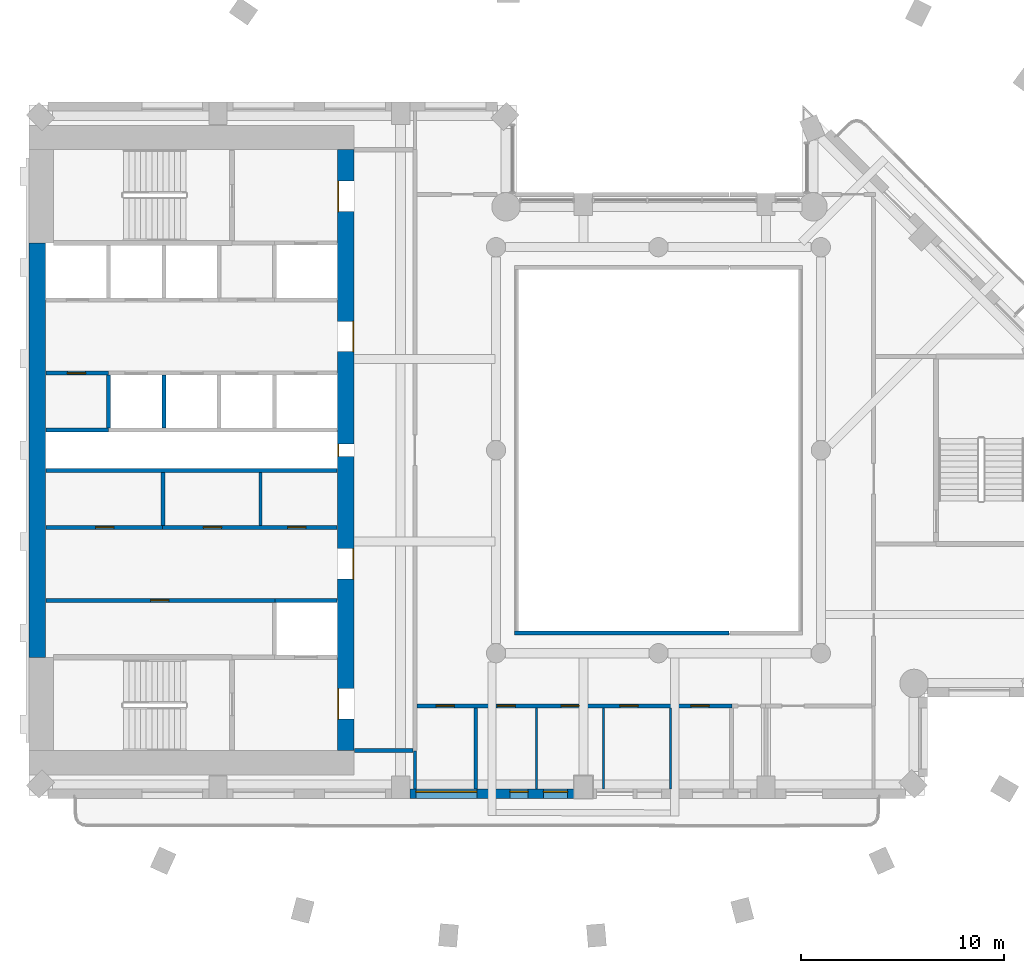
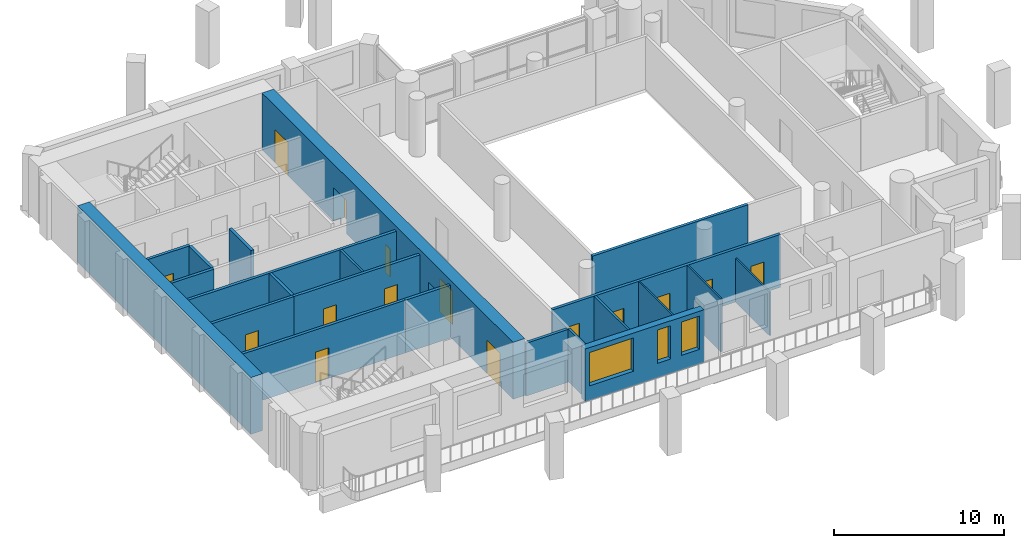
# One storey, part 4 of 14: 22 walls, 15 doors, 3 windows, 18 openings.
"""IFC4 building model written with IfcOpenShell, lengths in metres."""

from ifc_helpers import new_model, si_unit, direction, frame, frame_2d, origin, place, context, subcontext, project, spatial, rectangle, extrude, material, layer, layer_set, type_object, element, fill, save


model = new_model("IFC4")

# Units and contexts
model_context = context("Model", 3, precision=1e-05, world=origin(), true_north=direction((0.0, 1.0)))
body_context = subcontext(model_context, "Body", "Model", "MODEL_VIEW")
ifc_project = project(units=[si_unit("LENGTHUNIT", "METRE"), si_unit("AREAUNIT", "SQUARE_METRE"), si_unit("VOLUMEUNIT", "CUBIC_METRE"), si_unit("PLANEANGLEUNIT", "RADIAN"), si_unit("MASSUNIT", "GRAM", prefix="KILO")], contexts=[model_context])

# Site, building, storey
site_placement = place(None, origin())
site = spatial("IfcSite", under=ifc_project, at=site_placement, CompositionType="ELEMENT")
building_placement = place(site_placement, origin())
building = spatial("IfcBuilding", under=site, at=building_placement, Name="Cypress Arch Tower", CompositionType="ELEMENT")
storey_placement = place(building_placement, frame((0.0, 0.0, 201.5)))
storey = spatial("IfcBuildingStorey", under=building, at=storey_placement, Name="L44", CompositionType="ELEMENT", Elevation=201.5)

# Wall, openings, windows
ifc_material_1 = material(Name="Brick (red buff blend)", Category="masonry")
ifc_layer_1 = layer(ifc_material_1, 0.449951171875)
ifc_layer_set_1 = layer_set([ifc_layer_1], Name="Brick pier and spandrel wall BW450")
wall_type_1 = type_object("IfcWallType", Name="Brick pier and spandrel wall BW450", PredefinedType="SOLIDWALL", material=ifc_layer_set_1)
wall_1_placement = place(storey_placement, frame((-11.25, -16.925048828125, 0.0), z_axis=(0.0, 0.0, 1.0), x_axis=(1.0, 0.0, 0.0)))
wall_1 = element("IfcWall", 1, at=wall_1_placement, inside=storey, type_object=wall_type_1, Name="Brick wall L44 B01.2", PredefinedType="SOLIDWALL", context=body_context, shape_type="SweptSolid", body=[
    extrude(rectangle(XDim=8.10009765625, YDim=0.449951171875, at=frame_2d((4.050048828125, 0.0))), origin(), (0.0, 0.0, 1.0), 3.800048828125),
])
opening_1_placement = place(wall_1_placement, frame((0.300048828125, 0.0, 1.050048828125)))
opening_1 = element("IfcOpeningElement", 2, at=opening_1_placement, cuts=wall_1, Name="Opening W300OD", PredefinedType="OPENING", context=body_context, shape_type="SweptSolid", body=[
    extrude(rectangle(XDim=3.0, YDim=2.39990234375, at=frame_2d((1.5, 1.199951171875))), frame((0.0, 0.23486328125, 0.0), z_axis=(0.0, -1.0, 0.0), x_axis=(1.0, 0.0, 0.0)), (0.0, 0.0, 1.0), 0.469970703125),
])
opening_2_placement = place(wall_1_placement, frame((4.925048828125, 0.0, 1.050048828125)))
opening_2 = element("IfcOpeningElement", 3, at=opening_2_placement, cuts=wall_1, Name="Opening W090OD", PredefinedType="OPENING", context=body_context, shape_type="SweptSolid", body=[
    extrude(rectangle(XDim=0.89990234375, YDim=2.39990234375, at=frame_2d((0.449951171875, 1.199951171875))), frame((0.0, 0.23486328125, 0.0), z_axis=(0.0, -1.0, 0.0), x_axis=(1.0, 0.0, 0.0)), (0.0, 0.0, 1.0), 0.469970703125),
])
opening_3_placement = place(wall_1_placement, frame((6.574951171875, 0.0, 1.050048828125)))
opening_3 = element("IfcOpeningElement", 4, at=opening_3_placement, cuts=wall_1, Name="Opening W120OD", PredefinedType="OPENING", context=body_context, shape_type="SweptSolid", body=[
    extrude(rectangle(XDim=1.199951171875, YDim=2.39990234375, at=frame_2d((0.60009765625, 1.199951171875))), frame((0.0, 0.23486328125, 0.0), z_axis=(0.0, -1.0, 0.0), x_axis=(1.0, 0.0, 0.0)), (0.0, 0.0, 1.0), 0.469970703125),
])
ifc_material_2 = material(Name="Anodised aluminium, bronze finish, laminated low-emissivity double glazing, large-missile impact rated", Category="aluminium")
window_type_1 = type_object("IfcWindowType", Name="Window Office 1200x2400 debris-rated", PartitioningType="SINGLE_PANEL", PredefinedType="WINDOW", material=ifc_material_2)
window_1_placement = place(opening_3_placement, origin())
window_1 = element("IfcWindow", 5, at=window_1_placement, inside=storey, type_object=window_type_1, Name="Window L44 B01.2.2b", OverallHeight=2.39990234375, OverallWidth=1.199951171875, PartitioningType="SINGLE_PANEL", PredefinedType="WINDOW", context=body_context, shape_type="SweptSolid", body=[
    extrude(rectangle(XDim=1.199951171875, YDim=2.39990234375, at=frame_2d((0.60009765625, 1.199951171875))), frame((0.0, 0.135009765625, 0.0), z_axis=(0.0, -1.0, 0.0), x_axis=(1.0, 0.0, 0.0)), (0.0, 0.0, 1.0), 0.06005859375),
])
fill(opening_3, window_1)
ifc_material_3 = material(Name="Anodised aluminium, bronze finish, laminated low-emissivity double glazing, large-missile impact rated", Category="aluminium")
window_type_2 = type_object("IfcWindowType", Name="Window Office 3000x2400 debris-rated", PartitioningType="SINGLE_PANEL", PredefinedType="WINDOW", material=ifc_material_3)
window_2_placement = place(opening_1_placement, origin())
window_2 = element("IfcWindow", 6, at=window_2_placement, inside=storey, type_object=window_type_2, Name="Window L44 B01.2.1", OverallHeight=2.39990234375, OverallWidth=3.0, PartitioningType="SINGLE_PANEL", PredefinedType="WINDOW", context=body_context, shape_type="SweptSolid", body=[
    extrude(rectangle(XDim=3.0, YDim=2.39990234375, at=frame_2d((1.5, 1.199951171875))), frame((0.0, 0.135009765625, 0.0), z_axis=(0.0, -1.0, 0.0), x_axis=(1.0, 0.0, 0.0)), (0.0, 0.0, 1.0), 0.06005859375),
])
fill(opening_1, window_2)
ifc_material_4 = material(Name="Anodised aluminium, bronze finish, laminated low-emissivity double glazing, large-missile impact rated", Category="aluminium")
window_type_3 = type_object("IfcWindowType", Name="Window Office 900x2400 debris-rated", PartitioningType="SINGLE_PANEL", PredefinedType="WINDOW", material=ifc_material_4)
window_3_placement = place(opening_2_placement, origin())
window_3 = element("IfcWindow", 7, at=window_3_placement, inside=storey, type_object=window_type_3, Name="Window L44 B01.2.2", OverallHeight=2.39990234375, OverallWidth=0.89990234375, PartitioningType="SINGLE_PANEL", PredefinedType="WINDOW", context=body_context, shape_type="SweptSolid", body=[
    extrude(rectangle(XDim=0.89990234375, YDim=2.39990234375, at=frame_2d((0.449951171875, 1.199951171875))), frame((0.0, 0.135009765625, 0.0), z_axis=(0.0, -1.0, 0.0), x_axis=(1.0, 0.0, 0.0)), (0.0, 0.0, 1.0), 0.06005859375),
])
fill(opening_2, window_3)

# Wall, openings, doors
ifc_material_5 = material(Name="Concrete C70/85", Category="concrete")
ifc_layer_2 = layer(ifc_material_5, 0.800048828125)
ifc_layer_set_2 = layer_set([ifc_layer_2], Name="Core wall CW800 C70/85")
wall_type_2 = type_object("IfcWallType", Name="Core wall CW800 C70/85", PredefinedType="SHEAR", material=ifc_layer_set_2)
wall_2_placement = place(storey_placement, frame((-14.39990234375, -14.800048828125, 0.0), z_axis=(0.0, 0.0, 1.0), x_axis=(0.0, 1.0, 0.0)))
wall_2 = element("IfcWall", 8, at=wall_2_placement, inside=storey, type_object=wall_type_2, Name="Core wall", PredefinedType="SHEAR", context=body_context, shape_type="SweptSolid", body=[
    extrude(rectangle(XDim=29.60009765625, YDim=0.800048828125, at=frame_2d((14.800048828125, 0.0))), origin(), (0.0, 0.0, 1.0), 4.10009765625),
])
opening_4_placement = place(wall_2_placement, frame((1.550048828125, 0.0, 0.0)))
opening_4 = element("IfcOpeningElement", 9, at=opening_4_placement, cuts=wall_2, Name="Opening D07", PredefinedType="OPENING", context=body_context, shape_type="SweptSolid", body=[
    extrude(rectangle(XDim=1.5, YDim=2.39990234375, at=frame_2d((0.75, 1.199951171875))), frame((0.0, 0.409912109375, 0.0), z_axis=(0.0, -1.0, 0.0), x_axis=(1.0, 0.0, 0.0)), (0.0, 0.0, 1.0), 0.820068359375),
])
opening_5_placement = place(wall_2_placement, frame((26.550048828125, 0.0, 0.0)))
opening_5 = element("IfcOpeningElement", 10, at=opening_5_placement, cuts=wall_2, Name="Opening D07", PredefinedType="OPENING", context=body_context, shape_type="SweptSolid", body=[
    extrude(rectangle(XDim=1.5, YDim=2.39990234375, at=frame_2d((0.75, 1.199951171875))), frame((0.0, 0.409912109375, 0.0), z_axis=(0.0, -1.0, 0.0), x_axis=(1.0, 0.0, 0.0)), (0.0, 0.0, 1.0), 0.820068359375),
])
opening_6_placement = place(wall_2_placement, frame((8.449951171875, 0.0, 0.0)))
opening_6 = element("IfcOpeningElement", 11, at=opening_6_placement, cuts=wall_2, Name="Opening D07", PredefinedType="OPENING", context=body_context, shape_type="SweptSolid", body=[
    extrude(rectangle(XDim=1.5, YDim=2.39990234375, at=frame_2d((0.75, 1.199951171875))), frame((0.0, 0.409912109375, 0.0), z_axis=(0.0, -1.0, 0.0), x_axis=(1.0, 0.0, 0.0)), (0.0, 0.0, 1.0), 0.820068359375),
])
opening_7_placement = place(wall_2_placement, frame((19.64990234375, 0.0, 0.0)))
opening_7 = element("IfcOpeningElement", 12, at=opening_7_placement, cuts=wall_2, Name="Opening D07", PredefinedType="OPENING", context=body_context, shape_type="SweptSolid", body=[
    extrude(rectangle(XDim=1.5, YDim=2.39990234375, at=frame_2d((0.75, 1.199951171875))), frame((0.0, 0.409912109375, 0.0), z_axis=(0.0, -1.0, 0.0), x_axis=(1.0, 0.0, 0.0)), (0.0, 0.0, 1.0), 0.820068359375),
])
opening_8_placement = place(wall_2_placement, frame((14.5, 0.0, 0.0)))
opening_8 = element("IfcOpeningElement", 13, at=opening_8_placement, cuts=wall_2, Name="Opening D08", PredefinedType="OPENING", context=body_context, shape_type="SweptSolid", body=[
    extrude(rectangle(XDim=0.60009765625, YDim=2.0, at=frame_2d((0.300048828125, 1.0))), frame((0.0, 0.409912109375, 0.0), z_axis=(0.0, -1.0, 0.0), x_axis=(1.0, 0.0, 0.0)), (0.0, 0.0, 1.0), 0.820068359375),
])
ifc_material_6 = material(Name="Steel framed glazed door, fire resisting", Category="steel")
door_type_1 = type_object("IfcDoorType", Name="Lobby door D07 1500x2400", OperationType="DOUBLE_DOOR_SINGLE_SWING", PredefinedType="DOOR", material=ifc_material_6)
door_1_placement = place(opening_4_placement, origin())
door_1 = element("IfcDoor", 14, at=door_1_placement, inside=storey, type_object=door_type_1, Name="Lobby door", OperationType="DOUBLE_DOOR_SINGLE_SWING", OverallHeight=2.39990234375, OverallWidth=1.5, PredefinedType="DOOR", context=body_context, shape_type="SweptSolid", body=[
    extrude(rectangle(XDim=1.5, YDim=2.39990234375, at=frame_2d((0.75, 1.199951171875))), frame((0.0, 0.39501953125, 0.0), z_axis=(0.0, -1.0, 0.0), x_axis=(1.0, 0.0, 0.0)), (0.0, 0.0, 1.0), 0.050048828125),
])
fill(opening_4, door_1)
door_2_placement = place(opening_5_placement, origin())
door_2 = element("IfcDoor", 15, at=door_2_placement, inside=storey, type_object=door_type_1, Name="Lobby door", OperationType="DOUBLE_DOOR_SINGLE_SWING", OverallHeight=2.39990234375, OverallWidth=1.5, PredefinedType="DOOR", context=body_context, shape_type="SweptSolid", body=[
    extrude(rectangle(XDim=1.5, YDim=2.39990234375, at=frame_2d((0.75, 1.199951171875))), frame((0.0, 0.39501953125, 0.0), z_axis=(0.0, -1.0, 0.0), x_axis=(1.0, 0.0, 0.0)), (0.0, 0.0, 1.0), 0.050048828125),
])
fill(opening_5, door_2)
door_3_placement = place(opening_6_placement, origin())
door_3 = element("IfcDoor", 16, at=door_3_placement, inside=storey, type_object=door_type_1, Name="Lobby door", OperationType="DOUBLE_DOOR_SINGLE_SWING", OverallHeight=2.39990234375, OverallWidth=1.5, PredefinedType="DOOR", context=body_context, shape_type="SweptSolid", body=[
    extrude(rectangle(XDim=1.5, YDim=2.39990234375, at=frame_2d((0.75, 1.199951171875))), frame((0.0, -0.34521484375, 0.0), z_axis=(0.0, -1.0, 0.0), x_axis=(1.0, 0.0, 0.0)), (0.0, 0.0, 1.0), 0.050048828125),
])
fill(opening_6, door_3)
door_4_placement = place(opening_7_placement, origin())
door_4 = element("IfcDoor", 17, at=door_4_placement, inside=storey, type_object=door_type_1, Name="Lobby door", OperationType="DOUBLE_DOOR_SINGLE_SWING", OverallHeight=2.39990234375, OverallWidth=1.5, PredefinedType="DOOR", context=body_context, shape_type="SweptSolid", body=[
    extrude(rectangle(XDim=1.5, YDim=2.39990234375, at=frame_2d((0.75, 1.199951171875))), frame((0.0, -0.34521484375, 0.0), z_axis=(0.0, -1.0, 0.0), x_axis=(1.0, 0.0, 0.0)), (0.0, 0.0, 1.0), 0.050048828125),
])
fill(opening_7, door_4)
ifc_material_7 = material(Name="Steel access door, fire resisting", Category="steel")
door_type_2 = type_object("IfcDoorType", Name="Riser access door D08 600x2000", OperationType="SINGLE_SWING_LEFT", PredefinedType="DOOR", material=ifc_material_7)
door_5_placement = place(opening_8_placement, origin())
door_5 = element("IfcDoor", 18, at=door_5_placement, inside=storey, type_object=door_type_2, Name="Riser access door", OperationType="SINGLE_SWING_RIGHT", OverallHeight=2.0, OverallWidth=0.60009765625, PredefinedType="DOOR", context=body_context, shape_type="SweptSolid", body=[
    extrude(rectangle(XDim=0.60009765625, YDim=2.0, at=frame_2d((0.300048828125, 1.0))), frame((0.0, 0.39501953125, 0.0), z_axis=(0.0, -1.0, 0.0), x_axis=(1.0, 0.0, 0.0)), (0.0, 0.0, 1.0), 0.050048828125),
])
fill(opening_8, door_5)

# Wall
wall_3_placement = place(storey_placement, frame((-29.60009765625, -10.199951171875, 0.0), z_axis=(0.0, 0.0, 1.0), x_axis=(0.0, 1.0, 0.0)))
element("IfcWall", 19, at=wall_3_placement, inside=storey, type_object=wall_type_2, Name="Core wall", PredefinedType="SHEAR", context=body_context, shape_type="SweptSolid", body=[
    extrude(rectangle(XDim=20.39990234375, YDim=0.800048828125, at=frame_2d((10.199951171875, 0.0))), origin(), (0.0, 0.0, 1.0), 4.10009765625),
])

# Wall, opening, door
ifc_material_8 = material(Name="Concrete blockwork, plastered, rated", Category="masonry")
ifc_layer_3 = layer(ifc_material_8, 0.199951171875)
ifc_layer_set_3 = layer_set([ifc_layer_3], Name="Corridor wall FW200")
wall_type_3 = type_object("IfcWallType", Name="Corridor wall FW200", PredefinedType="PARTITIONING", material=ifc_layer_set_3)
wall_4_placement = place(storey_placement, frame((-29.169921875, 3.800048828125, 0.0), z_axis=(0.0, 0.0, 1.0), x_axis=(1.0, 0.0, 0.0)))
wall_4 = element("IfcWall", 20, at=wall_4_placement, inside=storey, type_object=wall_type_3, Name="Corridor wall", PredefinedType="PARTITIONING", context=body_context, shape_type="SweptSolid", body=[
    extrude(rectangle(XDim=3.08984375, YDim=0.199951171875, at=frame_2d((1.544921875, 0.0))), origin(), (0.0, 0.0, 1.0), 3.800048828125),
])
opening_9_placement = place(wall_4_placement, frame((1.050048828125, 0.0, 0.0)))
opening_9 = element("IfcOpeningElement", 21, at=opening_9_placement, cuts=wall_4, Name="Opening D05", PredefinedType="OPENING", context=body_context, shape_type="SweptSolid", body=[
    extrude(rectangle(XDim=0.89990234375, YDim=2.199951171875, at=frame_2d((0.449951171875, 1.10009765625))), frame((0.0, 0.10986328125, 0.0), z_axis=(0.0, -1.0, 0.0), x_axis=(1.0, 0.0, 0.0)), (0.0, 0.0, 1.0), 0.219970703125),
])
ifc_material_9 = material(Name="Timber flush door", Category="wood")
door_type_3 = type_object("IfcDoorType", Name="Service door D05 900x2200", OperationType="SINGLE_SWING_LEFT", PredefinedType="DOOR", material=ifc_material_9)
door_6_placement = place(opening_9_placement, origin())
door_6 = element("IfcDoor", 22, at=door_6_placement, inside=storey, type_object=door_type_3, Name="Service door", OperationType="SINGLE_SWING_LEFT", OverallHeight=2.199951171875, OverallWidth=0.89990234375, PredefinedType="DOOR", context=body_context, shape_type="SweptSolid", body=[
    extrude(rectangle(XDim=0.89990234375, YDim=2.199951171875, at=frame_2d((0.449951171875, 1.10009765625))), frame((0.0, 0.02490234375, 0.0), z_axis=(0.0, -1.0, 0.0), x_axis=(1.0, 0.0, 0.0)), (0.0, 0.0, 1.0), 0.050048828125),
])
fill(opening_9, door_6)

# Wall, openings, doors
wall_5_placement = place(storey_placement, frame((-23.419921875, -3.800048828125, 0.0), z_axis=(0.0, 0.0, 1.0), x_axis=(1.0, 0.0, 0.0)))
wall_5 = element("IfcWall", 23, at=wall_5_placement, inside=storey, type_object=wall_type_3, Name="Corridor wall", PredefinedType="PARTITIONING", context=body_context, shape_type="SweptSolid", body=[
    extrude(rectangle(XDim=8.58984375, YDim=0.199951171875, at=frame_2d((4.294921875, 0.0))), origin(), (0.0, 0.0, 1.0), 3.800048828125),
])
opening_10_placement = place(wall_5_placement, frame((2.0, 0.0, 0.0)))
opening_10 = element("IfcOpeningElement", 24, at=opening_10_placement, cuts=wall_5, Name="Opening D05", PredefinedType="OPENING", context=body_context, shape_type="SweptSolid", body=[
    extrude(rectangle(XDim=0.89990234375, YDim=2.199951171875, at=frame_2d((0.449951171875, 1.10009765625))), frame((0.0, 0.10986328125, 0.0), z_axis=(0.0, -1.0, 0.0), x_axis=(1.0, 0.0, 0.0)), (0.0, 0.0, 1.0), 0.219970703125),
])
opening_11_placement = place(wall_5_placement, frame((6.14990234375, 0.0, 0.0)))
opening_11 = element("IfcOpeningElement", 25, at=opening_11_placement, cuts=wall_5, Name="Opening D05", PredefinedType="OPENING", context=body_context, shape_type="SweptSolid", body=[
    extrude(rectangle(XDim=0.89990234375, YDim=2.199951171875, at=frame_2d((0.449951171875, 1.10009765625))), frame((0.0, 0.10986328125, 0.0), z_axis=(0.0, -1.0, 0.0), x_axis=(1.0, 0.0, 0.0)), (0.0, 0.0, 1.0), 0.219970703125),
])
door_7_placement = place(opening_10_placement, origin())
door_7 = element("IfcDoor", 26, at=door_7_placement, inside=storey, type_object=door_type_3, Name="Service door", OperationType="SINGLE_SWING_RIGHT", OverallHeight=2.199951171875, OverallWidth=0.89990234375, PredefinedType="DOOR", context=body_context, shape_type="SweptSolid", body=[
    extrude(rectangle(XDim=0.89990234375, YDim=2.199951171875, at=frame_2d((0.449951171875, 1.10009765625))), frame((0.0, 0.02490234375, 0.0), z_axis=(0.0, -1.0, 0.0), x_axis=(1.0, 0.0, 0.0)), (0.0, 0.0, 1.0), 0.050048828125),
])
fill(opening_10, door_7)
door_8_placement = place(opening_11_placement, origin())
door_8 = element("IfcDoor", 27, at=door_8_placement, inside=storey, type_object=door_type_3, Name="Service door", OperationType="SINGLE_SWING_LEFT", OverallHeight=2.199951171875, OverallWidth=0.89990234375, PredefinedType="DOOR", context=body_context, shape_type="SweptSolid", body=[
    extrude(rectangle(XDim=0.89990234375, YDim=2.199951171875, at=frame_2d((0.449951171875, 1.10009765625))), frame((0.0, 0.02490234375, 0.0), z_axis=(0.0, -1.0, 0.0), x_axis=(1.0, 0.0, 0.0)), (0.0, 0.0, 1.0), 0.050048828125),
])
fill(opening_11, door_8)

# Wall
wall_6_placement = place(storey_placement, frame((-13.969970703125, -14.800048828125, 0.0), z_axis=(0.0, 0.0, 1.0), x_axis=(1.0, 0.0, 0.0)))
element("IfcWall", 28, at=wall_6_placement, inside=storey, type_object=wall_type_3, Name="Corridor wall", PredefinedType="PARTITIONING", context=body_context, shape_type="SweptSolid", body=[
    extrude(rectangle(XDim=2.869873046875, YDim=0.199951171875, at=frame_2d((1.43505859375, 0.0))), origin(), (0.0, 0.0, 1.0), 3.800048828125),
])

# Wall, openings, doors
wall_7_placement = place(storey_placement, frame((-10.89990234375, -12.60009765625, 0.0), z_axis=(0.0, 0.0, 1.0), x_axis=(1.0, 0.0, 0.0)))
wall_7 = element("IfcWall", 29, at=wall_7_placement, inside=storey, type_object=wall_type_3, Name="Corridor wall", PredefinedType="PARTITIONING", context=body_context, shape_type="SweptSolid", body=[
    extrude(rectangle(XDim=15.52099609375, YDim=0.199951171875, at=frame_2d((7.760498046875, 0.0))), origin(), (0.0, 0.0, 1.0), 3.800048828125),
])
opening_12_placement = place(wall_7_placement, frame((0.949951171875, 0.0, 0.0)))
opening_12 = element("IfcOpeningElement", 30, at=opening_12_placement, cuts=wall_7, Name="Opening D05", PredefinedType="OPENING", context=body_context, shape_type="SweptSolid", body=[
    extrude(rectangle(XDim=0.89990234375, YDim=2.199951171875, at=frame_2d((0.449951171875, 1.10009765625))), frame((0.0, 0.10986328125, 0.0), z_axis=(0.0, -1.0, 0.0), x_axis=(1.0, 0.0, 0.0)), (0.0, 0.0, 1.0), 0.219970703125),
])
opening_13_placement = place(wall_7_placement, frame((3.949951171875, 0.0, 0.0)))
opening_13 = element("IfcOpeningElement", 31, at=opening_13_placement, cuts=wall_7, Name="Opening D05", PredefinedType="OPENING", context=body_context, shape_type="SweptSolid", body=[
    extrude(rectangle(XDim=0.89990234375, YDim=2.199951171875, at=frame_2d((0.449951171875, 1.10009765625))), frame((0.0, 0.10986328125, 0.0), z_axis=(0.0, -1.0, 0.0), x_axis=(1.0, 0.0, 0.0)), (0.0, 0.0, 1.0), 0.219970703125),
])
opening_14_placement = place(wall_7_placement, frame((7.10009765625, 0.0, 0.0)))
opening_14 = element("IfcOpeningElement", 32, at=opening_14_placement, cuts=wall_7, Name="Opening D03", PredefinedType="OPENING", context=body_context, shape_type="SweptSolid", body=[
    extrude(rectangle(XDim=0.89990234375, YDim=2.199951171875, at=frame_2d((0.449951171875, 1.10009765625))), frame((0.0, 0.10986328125, 0.0), z_axis=(0.0, -1.0, 0.0), x_axis=(1.0, 0.0, 0.0)), (0.0, 0.0, 1.0), 0.219970703125),
])
opening_15_placement = place(wall_7_placement, frame((10.0, 0.0, 0.0)))
opening_15 = element("IfcOpeningElement", 33, at=opening_15_placement, cuts=wall_7, Name="Opening D03", PredefinedType="OPENING", context=body_context, shape_type="SweptSolid", body=[
    extrude(rectangle(XDim=0.89990234375, YDim=2.199951171875, at=frame_2d((0.449951171875, 1.10009765625))), frame((0.0, 0.10986328125, 0.0), z_axis=(0.0, -1.0, 0.0), x_axis=(1.0, 0.0, 0.0)), (0.0, 0.0, 1.0), 0.219970703125),
])
opening_16_placement = place(wall_7_placement, frame((13.5, 0.0, 0.0)))
opening_16 = element("IfcOpeningElement", 34, at=opening_16_placement, cuts=wall_7, Name="Opening D03", PredefinedType="OPENING", context=body_context, shape_type="SweptSolid", body=[
    extrude(rectangle(XDim=0.89990234375, YDim=2.199951171875, at=frame_2d((0.449951171875, 1.10009765625))), frame((0.0, 0.10986328125, 0.0), z_axis=(0.0, -1.0, 0.0), x_axis=(1.0, 0.0, 0.0)), (0.0, 0.0, 1.0), 0.219970703125),
])
ifc_material_10 = material(Name="Timber flush door, moisture resistant", Category="wood")
door_type_4 = type_object("IfcDoorType", Name="Bathroom door D03 900x2200", OperationType="SINGLE_SWING_LEFT", PredefinedType="DOOR", material=ifc_material_10)
door_9_placement = place(opening_14_placement, origin())
door_9 = element("IfcDoor", 35, at=door_9_placement, inside=storey, type_object=door_type_4, Name="Bathroom door", OperationType="SINGLE_SWING_RIGHT", OverallHeight=2.199951171875, OverallWidth=0.89990234375, PredefinedType="DOOR", context=body_context, shape_type="SweptSolid", body=[
    extrude(rectangle(XDim=0.89990234375, YDim=2.199951171875, at=frame_2d((0.449951171875, 1.10009765625))), frame((0.0, 0.02490234375, 0.0), z_axis=(0.0, -1.0, 0.0), x_axis=(1.0, 0.0, 0.0)), (0.0, 0.0, 1.0), 0.050048828125),
])
fill(opening_14, door_9)
door_10_placement = place(opening_15_placement, origin())
door_10 = element("IfcDoor", 36, at=door_10_placement, inside=storey, type_object=door_type_4, Name="Bathroom door", OperationType="SINGLE_SWING_RIGHT", OverallHeight=2.199951171875, OverallWidth=0.89990234375, PredefinedType="DOOR", context=body_context, shape_type="SweptSolid", body=[
    extrude(rectangle(XDim=0.89990234375, YDim=2.199951171875, at=frame_2d((0.449951171875, 1.10009765625))), frame((0.0, 0.02490234375, 0.0), z_axis=(0.0, -1.0, 0.0), x_axis=(1.0, 0.0, 0.0)), (0.0, 0.0, 1.0), 0.050048828125),
])
fill(opening_15, door_10)
door_11_placement = place(opening_16_placement, origin())
door_11 = element("IfcDoor", 37, at=door_11_placement, inside=storey, type_object=door_type_4, Name="Bathroom door", OperationType="SINGLE_SWING_RIGHT", OverallHeight=2.199951171875, OverallWidth=0.89990234375, PredefinedType="DOOR", context=body_context, shape_type="SweptSolid", body=[
    extrude(rectangle(XDim=0.89990234375, YDim=2.199951171875, at=frame_2d((0.449951171875, 1.10009765625))), frame((0.0, 0.02490234375, 0.0), z_axis=(0.0, -1.0, 0.0), x_axis=(1.0, 0.0, 0.0)), (0.0, 0.0, 1.0), 0.050048828125),
])
fill(opening_16, door_11)
door_12_placement = place(opening_12_placement, origin())
door_12 = element("IfcDoor", 38, at=door_12_placement, inside=storey, type_object=door_type_3, Name="Service door", OperationType="SINGLE_SWING_RIGHT", OverallHeight=2.199951171875, OverallWidth=0.89990234375, PredefinedType="DOOR", context=body_context, shape_type="SweptSolid", body=[
    extrude(rectangle(XDim=0.89990234375, YDim=2.199951171875, at=frame_2d((0.449951171875, 1.10009765625))), frame((0.0, 0.02490234375, 0.0), z_axis=(0.0, -1.0, 0.0), x_axis=(1.0, 0.0, 0.0)), (0.0, 0.0, 1.0), 0.050048828125),
])
fill(opening_12, door_12)
door_13_placement = place(opening_13_placement, origin())
door_13 = element("IfcDoor", 39, at=door_13_placement, inside=storey, type_object=door_type_3, Name="Service door", OperationType="SINGLE_SWING_RIGHT", OverallHeight=2.199951171875, OverallWidth=0.89990234375, PredefinedType="DOOR", context=body_context, shape_type="SweptSolid", body=[
    extrude(rectangle(XDim=0.89990234375, YDim=2.199951171875, at=frame_2d((0.449951171875, 1.10009765625))), frame((0.0, 0.02490234375, 0.0), z_axis=(0.0, -1.0, 0.0), x_axis=(1.0, 0.0, 0.0)), (0.0, 0.0, 1.0), 0.050048828125),
])
fill(opening_13, door_13)

# Walls
wall_8_placement = place(storey_placement, frame((-6.10009765625, -9.0, 0.0), z_axis=(0.0, 0.0, 1.0), x_axis=(1.0, 0.0, 0.0)))
element("IfcWall", 40, at=wall_8_placement, inside=storey, type_object=wall_type_3, Name="Corridor wall", PredefinedType="PARTITIONING", context=body_context, shape_type="SweptSolid", body=[
    extrude(rectangle(XDim=10.580078125, YDim=0.199951171875, at=frame_2d((5.2900390625, 0.0))), origin(), (0.0, 0.0, 1.0), 3.800048828125),
])
ifc_material_11 = material(Name="Blockwork, plastered both sides", Category="masonry")
ifc_layer_4 = layer(ifc_material_11, 0.14990234375)
ifc_layer_set_4 = layer_set([ifc_layer_4], Name="Partition PW150")
wall_type_4 = type_object("IfcWallType", Name="Partition PW150", PredefinedType="PARTITIONING", material=ifc_layer_set_4)
wall_9_placement = place(storey_placement, frame((-18.60009765625, -3.699951171875, 0.0), z_axis=(0.0, 0.0, 1.0), x_axis=(0.0, 1.0, 0.0)))
element("IfcWall", 41, at=wall_9_placement, inside=storey, type_object=wall_type_4, Name="Partition", PredefinedType="PARTITIONING", context=body_context, shape_type="SweptSolid", body=[
    extrude(rectangle(XDim=2.599853515625, YDim=0.14990234375, at=frame_2d((1.2998046875, 0.0))), origin(), (0.0, 0.0, 1.0), 3.800048828125),
])
wall_10_placement = place(storey_placement, frame((-11.0, -16.699951171875, 0.0), z_axis=(0.0, 0.0, 1.0), x_axis=(0.0, 1.0, 0.0)))
element("IfcWall", 42, at=wall_10_placement, inside=storey, type_object=wall_type_4, Name="Partition", PredefinedType="PARTITIONING", context=body_context, shape_type="SweptSolid", body=[
    extrude(rectangle(XDim=1.8798828125, YDim=0.14990234375, at=frame_2d((0.93994140625, 0.0))), origin(), (0.0, 0.0, 1.0), 3.800048828125),
])
wall_11_placement = place(storey_placement, frame((-8.0, -16.699951171875, 0.0), z_axis=(0.0, 0.0, 1.0), x_axis=(0.0, 1.0, 0.0)))
element("IfcWall", 43, at=wall_11_placement, inside=storey, type_object=wall_type_4, Name="Partition", PredefinedType="PARTITIONING", context=body_context, shape_type="SweptSolid", body=[
    extrude(rectangle(XDim=4.0, YDim=0.14990234375, at=frame_2d((2.0, 0.0))), origin(), (0.0, 0.0, 1.0), 3.800048828125),
])

# Wall, opening, door
ifc_material_12 = material(Name="Reinforced blockwork, plastered, rated", Category="masonry")
ifc_layer_5 = layer(ifc_material_12, 0.199951171875)
ifc_layer_set_5 = layer_set([ifc_layer_5], Name="Plant and riser wall PL200")
wall_type_5 = type_object("IfcWallType", Name="Plant and riser wall PL200", PredefinedType="PARTITIONING", material=ifc_layer_set_5)
wall_12_placement = place(storey_placement, frame((-29.169921875, -7.39990234375, 0.0), z_axis=(0.0, 0.0, 1.0), x_axis=(1.0, 0.0, 0.0)))
wall_12 = element("IfcWall", 44, at=wall_12_placement, inside=storey, type_object=wall_type_5, Name="Plant and riser wall", PredefinedType="PARTITIONING", context=body_context, shape_type="SweptSolid", body=[
    extrude(rectangle(XDim=11.27001953125, YDim=0.199951171875, at=frame_2d((5.635009765625, 0.0))), origin(), (0.0, 0.0, 1.0), 3.800048828125),
])
opening_17_placement = place(wall_12_placement, frame((5.14990234375, 0.0, 0.0)))
opening_17 = element("IfcOpeningElement", 45, at=opening_17_placement, cuts=wall_12, Name="Opening D05", PredefinedType="OPENING", context=body_context, shape_type="SweptSolid", body=[
    extrude(rectangle(XDim=0.89990234375, YDim=2.199951171875, at=frame_2d((0.449951171875, 1.10009765625))), frame((0.0, 0.10986328125, 0.0), z_axis=(0.0, -1.0, 0.0), x_axis=(1.0, 0.0, 0.0)), (0.0, 0.0, 1.0), 0.219970703125),
])
door_14_placement = place(opening_17_placement, origin())
door_14 = element("IfcDoor", 46, at=door_14_placement, inside=storey, type_object=door_type_3, Name="Service door", OperationType="SINGLE_SWING_RIGHT", OverallHeight=2.199951171875, OverallWidth=0.89990234375, PredefinedType="DOOR", context=body_context, shape_type="SweptSolid", body=[
    extrude(rectangle(XDim=0.89990234375, YDim=2.199951171875, at=frame_2d((0.449951171875, 1.10009765625))), frame((0.0, 0.02490234375, 0.0), z_axis=(0.0, -1.0, 0.0), x_axis=(1.0, 0.0, 0.0)), (0.0, 0.0, 1.0), 0.050048828125),
])
fill(opening_17, door_14)

wall_13_placement = place(storey_placement, frame((-29.169921875, -3.800048828125, 0.0), z_axis=(0.0, 0.0, 1.0), x_axis=(1.0, 0.0, 0.0)))
wall_13 = element("IfcWall", 47, at=wall_13_placement, inside=storey, type_object=wall_type_5, Name="Plant and riser wall", PredefinedType="PARTITIONING", context=body_context, shape_type="SweptSolid", body=[
    extrude(rectangle(XDim=5.75, YDim=0.199951171875, at=frame_2d((2.875, 0.0))), origin(), (0.0, 0.0, 1.0), 3.800048828125),
])
opening_18_placement = place(wall_13_placement, frame((2.449951171875, 0.0, 0.0)))
opening_18 = element("IfcOpeningElement", 48, at=opening_18_placement, cuts=wall_13, Name="Opening D05", PredefinedType="OPENING", context=body_context, shape_type="SweptSolid", body=[
    extrude(rectangle(XDim=0.89990234375, YDim=2.199951171875, at=frame_2d((0.449951171875, 1.10009765625))), frame((0.0, 0.10986328125, 0.0), z_axis=(0.0, -1.0, 0.0), x_axis=(1.0, 0.0, 0.0)), (0.0, 0.0, 1.0), 0.219970703125),
])
door_15_placement = place(opening_18_placement, origin())
door_15 = element("IfcDoor", 49, at=door_15_placement, inside=storey, type_object=door_type_3, Name="Service door", OperationType="SINGLE_SWING_RIGHT", OverallHeight=2.199951171875, OverallWidth=0.89990234375, PredefinedType="DOOR", context=body_context, shape_type="SweptSolid", body=[
    extrude(rectangle(XDim=0.89990234375, YDim=2.199951171875, at=frame_2d((0.449951171875, 1.10009765625))), frame((0.0, 0.02490234375, 0.0), z_axis=(0.0, -1.0, 0.0), x_axis=(1.0, 0.0, 0.0)), (0.0, 0.0, 1.0), 0.050048828125),
])
fill(opening_18, door_15)

# Walls
wall_14_placement = place(storey_placement, frame((-29.169921875, -1.0, 0.0), z_axis=(0.0, 0.0, 1.0), x_axis=(1.0, 0.0, 0.0)))
element("IfcWall", 50, at=wall_14_placement, inside=storey, type_object=wall_type_5, Name="Plant and riser wall", PredefinedType="PARTITIONING", context=body_context, shape_type="SweptSolid", body=[
    extrude(rectangle(XDim=14.33984375, YDim=0.199951171875, at=frame_2d((7.169921875, 0.0))), origin(), (0.0, 0.0, 1.0), 3.800048828125),
])
wall_15_placement = place(storey_placement, frame((-29.169921875, 1.0, 0.0), z_axis=(0.0, 0.0, 1.0), x_axis=(1.0, 0.0, 0.0)))
element("IfcWall", 51, at=wall_15_placement, inside=storey, type_object=wall_type_5, Name="Plant and riser wall", PredefinedType="PARTITIONING", context=body_context, shape_type="SweptSolid", body=[
    extrude(rectangle(XDim=3.08984375, YDim=0.199951171875, at=frame_2d((1.544921875, 0.0))), origin(), (0.0, 0.0, 1.0), 3.800048828125),
])
wall_16_placement = place(storey_placement, frame((-23.39990234375, -3.699951171875, 0.0), z_axis=(0.0, 0.0, 1.0), x_axis=(0.0, 1.0, 0.0)))
element("IfcWall", 52, at=wall_16_placement, inside=storey, type_object=wall_type_5, Name="Plant and riser wall", PredefinedType="PARTITIONING", context=body_context, shape_type="SweptSolid", body=[
    extrude(rectangle(XDim=2.599853515625, YDim=0.199951171875, at=frame_2d((1.2998046875, 0.0))), origin(), (0.0, 0.0, 1.0), 3.800048828125),
])
ifc_material_13 = material(Name="Concrete C50/60", Category="concrete")
ifc_layer_6 = layer(ifc_material_13, 0.199951171875)
ifc_layer_set_6 = layer_set([ifc_layer_6], Name="Shaft wall SH200")
wall_type_6 = type_object("IfcWallType", Name="Shaft wall SH200", PredefinedType="SHEAR", material=ifc_layer_set_6)
wall_17_placement = place(storey_placement, frame((-26.080078125, 1.10009765625, 0.0), z_axis=(0.0, 0.0, 1.0), x_axis=(0.0, 1.0, 0.0)))
element("IfcWall", 53, at=wall_17_placement, inside=storey, type_object=wall_type_6, Name="Shaft wall", PredefinedType="SHEAR", context=body_context, shape_type="SweptSolid", body=[
    extrude(rectangle(XDim=2.599853515625, YDim=0.199951171875, at=frame_2d((1.2998046875, 0.0))), origin(), (0.0, 0.0, 1.0), 3.800048828125),
])
wall_18_placement = place(storey_placement, frame((-23.360107421875, 1.10009765625, 0.0), z_axis=(0.0, 0.0, 1.0), x_axis=(0.0, 1.0, 0.0)))
element("IfcWall", 54, at=wall_18_placement, inside=storey, type_object=wall_type_6, Name="Shaft wall", PredefinedType="SHEAR", context=body_context, shape_type="SweptSolid", body=[
    extrude(rectangle(XDim=2.599853515625, YDim=0.199951171875, at=frame_2d((1.2998046875, 0.0))), origin(), (0.0, 0.0, 1.0), 4.10009765625),
])
wall_19_placement = place(storey_placement, frame((-17.89990234375, -7.39990234375, 0.0), z_axis=(0.0, 0.0, 1.0), x_axis=(1.0, 0.0, 0.0)))
element("IfcWall", 55, at=wall_19_placement, inside=storey, type_object=wall_type_6, Name="Shaft wall", PredefinedType="SHEAR", context=body_context, shape_type="SweptSolid", body=[
    extrude(rectangle(XDim=3.06982421875, YDim=0.199951171875, at=frame_2d((1.534912109375, 0.0))), origin(), (0.0, 0.0, 1.0), 3.800048828125),
])
ifc_material_14 = material(Name="Moisture resistant board on steel studs, tiled", Category="steel")
ifc_layer_7 = layer(ifc_material_14, 0.10009765625)
ifc_layer_set_7 = layer_set([ifc_layer_7], Name="Wet wall PW100")
wall_type_7 = type_object("IfcWallType", Name="Wet wall PW100", PredefinedType="PARTITIONING", material=ifc_layer_set_7)
for number, where, z_axis, x_axis, name in (
    (56, (-5.0, -16.699951171875, 0.0), (0.0, 0.0, 1.0), (0.0, 1.0, 0.0), "Wet wall"),
    (57, (-1.698974609375, -16.699951171875, 0.0), (0.0, 0.0, 1.0), (0.0, 1.0, 0.0), "Wet wall"),
):
    element("IfcWall", number, at=place(storey_placement, frame(where, z_axis=z_axis, x_axis=x_axis)), inside=storey, type_object=wall_type_7, Name=name, PredefinedType="PARTITIONING", context=body_context, shape_type="SweptSolid", body=[
        extrude(rectangle(XDim=4.0, YDim=0.10009765625, at=frame_2d((2.0, 0.0))), origin(), (0.0, 0.0, 1.0), 3.800048828125),
    ])
wall_20_placement = place(storey_placement, frame((1.60107421875, -16.699951171875, 0.0), z_axis=(0.0, 0.0, 1.0), x_axis=(0.0, 1.0, 0.0)))
element("IfcWall", 58, at=wall_20_placement, inside=storey, type_object=wall_type_7, Name="Wet wall", PredefinedType="PARTITIONING", context=body_context, shape_type="SweptSolid", body=[
    extrude(rectangle(XDim=4.0, YDim=0.10009765625, at=frame_2d((2.0, 0.0))), origin(), (0.0, 0.0, 1.0), 3.14990234375),
])

save(model, "model.ifc")
